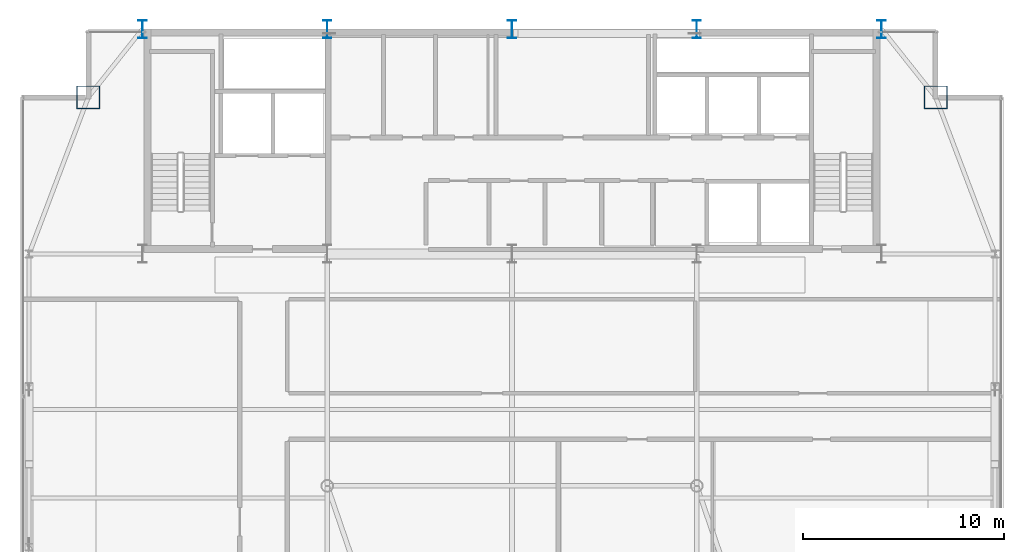
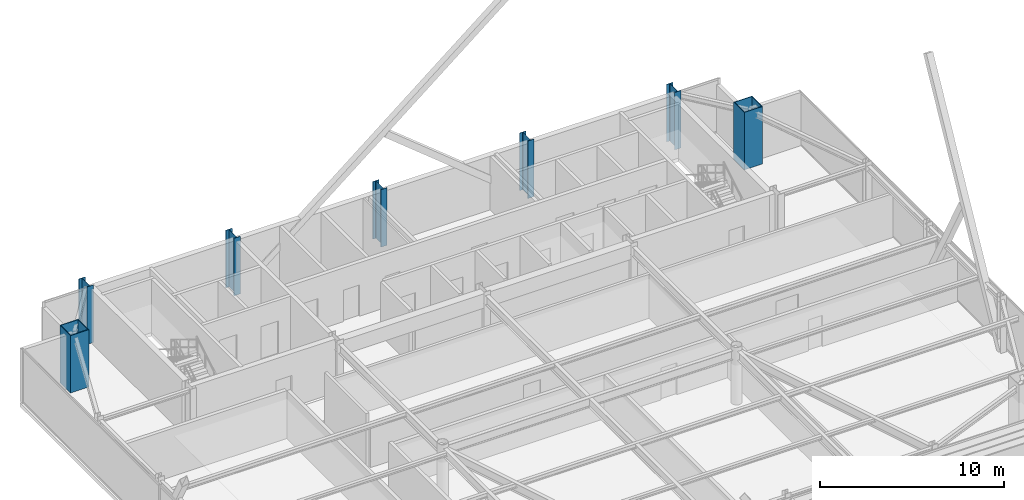
# One storey, part 3 of 31: 7 columns.
"""IFC4 building model written with IfcOpenShell, lengths in metres."""

from ifc_helpers import new_model, si_unit, direction, frame, origin, origin_2d, place, context, subcontext, project, spatial, hollow_rectangle, i_section, extrude, source, transform, mapped, material, material_profile, profile_set, type_object, type_shapes, element, save


model = new_model("IFC4")

# Units and contexts
model_context = context("Model", 3, precision=1e-05, world=origin(), true_north=direction((0.0, 1.0)))
body_context = subcontext(model_context, "Body", "Model", "MODEL_VIEW")
ifc_project = project(units=[si_unit("LENGTHUNIT", "METRE"), si_unit("AREAUNIT", "SQUARE_METRE"), si_unit("VOLUMEUNIT", "CUBIC_METRE"), si_unit("PLANEANGLEUNIT", "RADIAN"), si_unit("MASSUNIT", "GRAM", prefix="KILO")], contexts=[model_context])

# Site, building, storey
site_placement = place(None, origin())
site = spatial("IfcSite", under=ifc_project, at=site_placement, CompositionType="ELEMENT")
building_placement = place(site_placement, origin())
building = spatial("IfcBuilding", under=site, at=building_placement, Name="Varnel Quay Broadcast Tower", CompositionType="ELEMENT")
storey_placement = place(building_placement, frame((0.0, 0.0, 239.39990234375)))
storey = spatial("IfcBuildingStorey", under=building, at=storey_placement, Name="L59", CompositionType="ELEMENT", Elevation=239.39990234375)

# Columns
ifc_material = material(Name="Structural Steel CSA G40.21 350WT", Category="steel")
ifc_material_profile_1 = material_profile(ifc_material, i_section(OverallWidth=0.39990234375, OverallDepth=0.89990234375, WebThickness=0.01611328125, FlangeThickness=0.028076171875, FilletRadius=0.01611328125, at=origin_2d()), Name="WWF900X309")
ifc_profile_set_1 = profile_set([ifc_material_profile_1], Name="Structural Steel CSA G40.21 350WT")
column_type_1 = type_object("IfcColumnType", Name="Col_WWF900X309", PredefinedType="COLUMN", material=ifc_profile_set_1)
shared_shape_1 = source(origin(), body_context, "Body", "SweptSolid", [
    extrude(i_section(OverallWidth=0.39990234375, OverallDepth=0.89990234375, WebThickness=0.01611328125, FlangeThickness=0.028076171875, FilletRadius=0.01611328125, at=origin_2d()), origin(), (0.0, 0.0, 1.0), 3.800048828125),
])
type_shapes(column_type_1, [shared_shape_1])
for number, where, z_axis, x_axis, name in (
    (1, (15.60009765625, 46.800048828125, 0.0), (0.0, 0.0, 1.0), (1.0, 0.0, 0.0), "L59 Column CC-N1"),
    (2, (24.800048828125, 46.800048828125, 0.0), (0.0, 0.0, 1.0), (1.0, 0.0, 0.0), "L59 Column CC-N2"),
    (3, (34.0, 46.800048828125, 0.0), (0.0, 0.0, 1.0), (1.0, 0.0, 0.0), "L59 Column CC-N3"),
    (4, (43.199951171875, 46.800048828125, 0.0), (0.0, 0.0, 1.0), (1.0, 0.0, 0.0), "L59 Column CC-N4"),
    (5, (52.39990234375, 46.800048828125, 0.0), (0.0, 0.0, 1.0), (1.0, 0.0, 0.0), "L59 Column CC-N5"),
):
    element("IfcColumn", number, at=place(storey_placement, frame(where, z_axis=z_axis, x_axis=x_axis)), inside=storey, type_object=column_type_1, Name=name, PredefinedType="COLUMN", context=body_context, shape_type="MappedRepresentation", body=[
        mapped(shared_shape_1, transform((0.0, 0.0, 0.0), x_axis=(1.0, 0.0, 0.0), y_axis=(0.0, 1.0, 0.0), z_axis=(0.0, 0.0, 1.0), scale=1.0)),
    ])
ifc_material_profile_2 = material_profile(ifc_material, hollow_rectangle(XDim=1.14990234375, YDim=1.14990234375, WallThickness=0.044921875, at=origin_2d()), Name="BOX1150X1150X45")
ifc_profile_set_2 = profile_set([ifc_material_profile_2], Name="Structural Steel CSA G40.21 350WT")
column_type_2 = type_object("IfcColumnType", Name="Col_BOX1150X1150X45", PredefinedType="COLUMN", material=ifc_profile_set_2)
shared_shape_2 = source(origin(), body_context, "Body", "SweptSolid", [
    extrude(hollow_rectangle(XDim=1.14990234375, YDim=1.14990234375, WallThickness=0.044921875, at=origin_2d()), origin(), (0.0, 0.0, 1.0), 3.800048828125),
])
type_shapes(column_type_2, [shared_shape_2])
for number, where, z_axis, x_axis, name in (
    (6, (55.10009765625, 43.39990234375, 0.0), (0.0, 0.0, 1.0), (1.0, 0.0, 0.0), "L59 Column MC-NE"),
    (7, (12.89990234375, 43.39990234375, 0.0), (0.0, 0.0, 1.0), (1.0, 0.0, 0.0), "L59 Column MC-NW"),
):
    element("IfcColumn", number, at=place(storey_placement, frame(where, z_axis=z_axis, x_axis=x_axis)), inside=storey, type_object=column_type_2, Name=name, PredefinedType="COLUMN", context=body_context, shape_type="MappedRepresentation", body=[
        mapped(shared_shape_2, transform((0.0, 0.0, 0.0), x_axis=(1.0, 0.0, 0.0), y_axis=(0.0, 1.0, 0.0), z_axis=(0.0, 0.0, 1.0), scale=1.0)),
    ])

save(model, "model.ifc")
